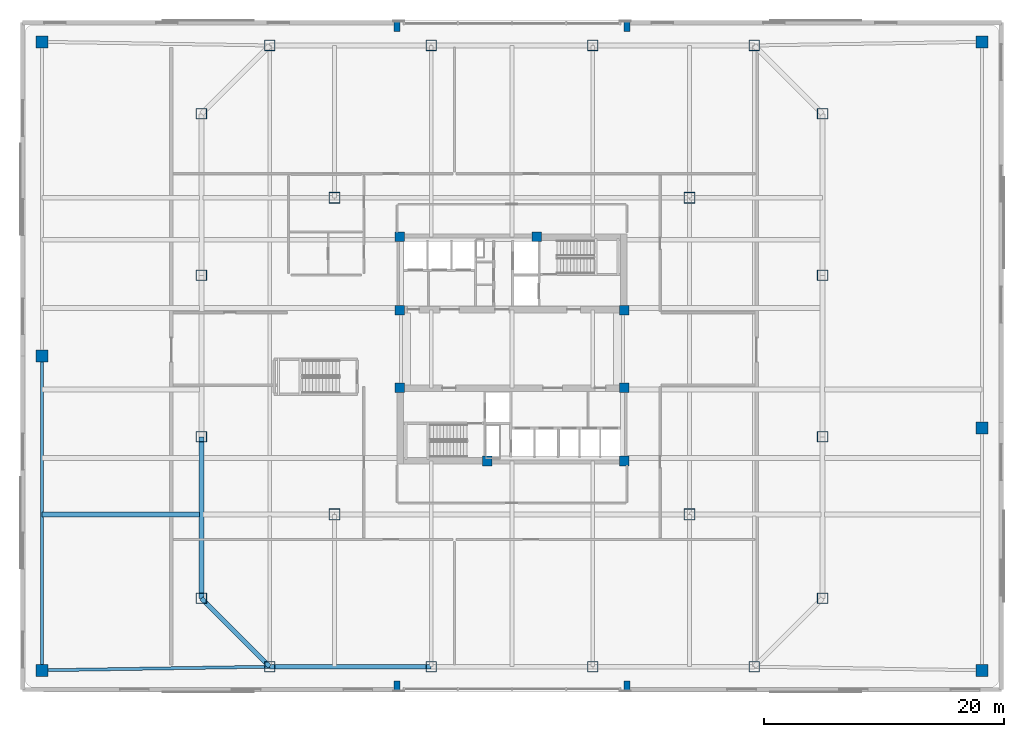
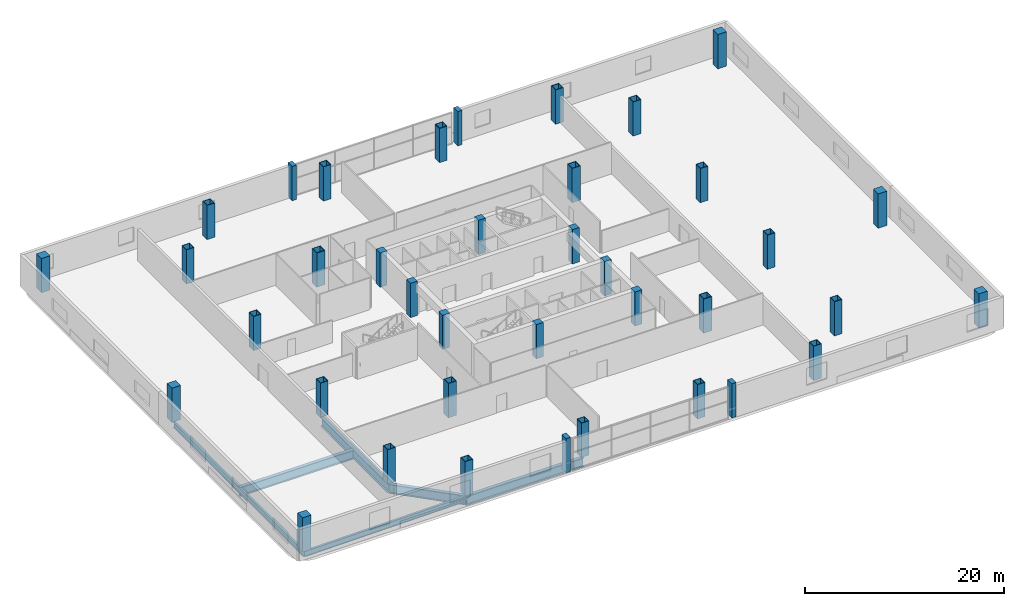
# One storey, part 1 of 21: 38 columns, 6 beams.
"""IFC4 building model written with IfcOpenShell, lengths in metres."""

from ifc_helpers import new_model, si_unit, direction, frame, origin, origin_2d, place, context, subcontext, project, spatial, rectangle, hollow_rectangle, i_section, extrude, material, material_profile, profile_set, type_object, element, save


model = new_model("IFC4")

# Units and contexts
model_context = context("Model", 3, precision=1e-05, world=origin(), true_north=direction((0.0, 1.0)))
body_context = subcontext(model_context, "Body", "Model", "MODEL_VIEW")
ifc_project = project(units=[si_unit("LENGTHUNIT", "METRE"), si_unit("AREAUNIT", "SQUARE_METRE"), si_unit("VOLUMEUNIT", "CUBIC_METRE"), si_unit("PLANEANGLEUNIT", "RADIAN"), si_unit("MASSUNIT", "GRAM", prefix="KILO")], contexts=[model_context])

# Site, building, storey
site_placement = place(None, origin())
site = spatial("IfcSite", under=ifc_project, at=site_placement, CompositionType="ELEMENT")
building_placement = place(site_placement, origin())
building = spatial("IfcBuilding", under=site, at=building_placement, Name="Qhalaya Broadcast Tower", CompositionType="ELEMENT")
storey_placement = place(building_placement, frame((0.0, 0.0, 13.5)))
storey = spatial("IfcBuildingStorey", under=building, at=storey_placement, Name="L03", CompositionType="ELEMENT", Elevation=13.5)

# Columns
ifc_material_1 = material(Name="Concrete C60/75", Category="concrete")
ifc_material_profile_1 = material_profile(ifc_material_1, rectangle(XDim=0.5, YDim=0.85009765625, at=origin_2d()), Name="RC-PIL 500x850")
ifc_profile_set_1 = profile_set([ifc_material_profile_1], Name="Concrete C60/75")
column_type_1 = type_object("IfcColumnType", Name="Concourse Portal Pilaster CP1", PredefinedType="PILASTER", material=ifc_profile_set_1)
for number, where, z_axis, x_axis, name in (
    (1, (-9.60009765625, -27.5, 0.0), (0.0, 0.0, 1.0), (1.0, 0.0, 0.0), "L03 Column PIL-PL1"),
    (2, (9.60009765625, -27.5, 0.0), (0.0, 0.0, 1.0), (1.0, 0.0, 0.0), "L03 Column PIL-PL2"),
    (3, (-9.60009765625, 27.5, 0.0), (0.0, 0.0, 1.0), (1.0, 0.0, 0.0), "L03 Column PIL-PL3"),
    (4, (9.60009765625, 27.5, 0.0), (0.0, 0.0, 1.0), (1.0, 0.0, 0.0), "L03 Column PIL-PL4"),
):
    element("IfcColumn", number, at=place(storey_placement, frame(where, z_axis=z_axis, x_axis=x_axis)), inside=storey, type_object=column_type_1, Name=name, PredefinedType="PILASTER", context=body_context, shape_type="SweptSolid", body=[
        extrude(rectangle(XDim=0.5, YDim=0.85009765625, at=origin_2d()), origin(), (0.0, 0.0, 1.0), 4.199951171875),
    ])
ifc_material_profile_2 = material_profile(ifc_material_1, rectangle(XDim=1.0, YDim=1.0, at=origin_2d()), Name="RC-COL 1000x1000")
ifc_profile_set_2 = profile_set([ifc_material_profile_2], Name="Concrete C60/75")
column_type_2 = type_object("IfcColumnType", Name="RC Podium Column C09", PredefinedType="COLUMN", material=ifc_profile_set_2)
for number, where, z_axis, x_axis, name in (
    (5, (-39.199951171875, 0.0, 0.0), (0.0, 0.0, 1.0), (1.0, 0.0, 0.0), "L03 Column COL-E1"),
    (6, (39.199951171875, -6.0, 0.0), (0.0, 0.0, 1.0), (1.0, 0.0, 0.0), "L03 Column COL-E2"),
    (7, (-39.199951171875, -26.199951171875, 0.0), (0.0, 0.0, 1.0), (1.0, 0.0, 0.0), "L03 Column COL-E3"),
    (8, (39.199951171875, -26.199951171875, 0.0), (0.0, 0.0, 1.0), (1.0, 0.0, 0.0), "L03 Column COL-E4"),
    (9, (-39.199951171875, 26.199951171875, 0.0), (0.0, 0.0, 1.0), (1.0, 0.0, 0.0), "L03 Column COL-E5"),
    (10, (39.199951171875, 26.199951171875, 0.0), (0.0, 0.0, 1.0), (1.0, 0.0, 0.0), "L03 Column COL-E6"),
):
    element("IfcColumn", number, at=place(storey_placement, frame(where, z_axis=z_axis, x_axis=x_axis)), inside=storey, type_object=column_type_2, Name=name, PredefinedType="COLUMN", context=body_context, shape_type="SweptSolid", body=[
        extrude(rectangle(XDim=1.0, YDim=1.0, at=origin_2d()), origin(), (0.0, 0.0, 1.0), 4.199951171875),
    ])
ifc_material_2 = material(Name="Concrete C50/60", Category="concrete")
ifc_material_profile_3 = material_profile(ifc_material_2, rectangle(XDim=0.800048828125, YDim=0.800048828125, at=origin_2d()), Name="RC-COL 800x800")
ifc_profile_set_3 = profile_set([ifc_material_profile_3], Name="Concrete C50/60")
column_type_3 = type_object("IfcColumnType", Name="RC Upper Column C10", PredefinedType="COLUMN", material=ifc_profile_set_3)
for number, where, z_axis, x_axis, name in (
    (11, (-9.375, 9.949951171875, 0.0), (0.0, 0.0, 1.0), (1.0, 0.0, 0.0), "L03 Column COL-CC1"),
    (12, (2.050048828125, 9.949951171875, 0.0), (0.0, 0.0, 1.0), (1.0, 0.0, 0.0), "L03 Column COL-CC2"),
    (13, (-9.375, 3.824951171875, 0.0), (0.0, 0.0, 1.0), (1.0, 0.0, 0.0), "L03 Column COL-CC3"),
    (14, (9.375, 3.824951171875, 0.0), (0.0, 0.0, 1.0), (1.0, 0.0, 0.0), "L03 Column COL-CC4"),
    (15, (-9.375, -2.625, 0.0), (0.0, 0.0, 1.0), (1.0, 0.0, 0.0), "L03 Column COL-CC5"),
    (16, (9.375, -2.625, 0.0), (0.0, 0.0, 1.0), (1.0, 0.0, 0.0), "L03 Column COL-CC6"),
    (17, (-2.050048828125, -8.75, 0.0), (0.0, 0.0, 1.0), (1.0, 0.0, 0.0), "L03 Column COL-CC7"),
    (18, (9.375, -8.75, 0.0), (0.0, 0.0, 1.0), (1.0, 0.0, 0.0), "L03 Column COL-CC8"),
):
    element("IfcColumn", number, at=place(storey_placement, frame(where, z_axis=z_axis, x_axis=x_axis)), inside=storey, type_object=column_type_3, Name=name, PredefinedType="COLUMN", context=body_context, shape_type="SweptSolid", body=[
        extrude(rectangle(XDim=0.800048828125, YDim=0.800048828125, at=origin_2d()), origin(), (0.0, 0.0, 1.0), 4.199951171875),
    ])
ifc_material_3 = material(Name="Structural Steel ASTM A572 Grade 50", Category="steel")
ifc_material_profile_4 = material_profile(ifc_material_3, hollow_rectangle(XDim=0.949951171875, YDim=0.949951171875, WallThickness=0.06005859375, at=origin_2d()), Name="BOX 950x950x60")
ifc_profile_set_4 = profile_set([ifc_material_profile_4], Name="Structural Steel ASTM A572 Grade 50")
column_type_4 = type_object("IfcColumnType", Name="Steel Box Column C01", PredefinedType="COLUMN", material=ifc_profile_set_4)
for number, where, z_axis, x_axis, name in (
    (19, (-14.800048828125, -13.199951171875, 0.0), (0.0, 0.0, 1.0), (1.0, 0.0, 0.0), "L03 Column COL-GR1"),
    (20, (14.800048828125, -13.199951171875, 0.0), (0.0, 0.0, 1.0), (1.0, 0.0, 0.0), "L03 Column COL-GR2"),
    (21, (-14.800048828125, 13.199951171875, 0.0), (0.0, 0.0, 1.0), (1.0, 0.0, 0.0), "L03 Column COL-GR3"),
    (22, (14.800048828125, 13.199951171875, 0.0), (0.0, 0.0, 1.0), (1.0, 0.0, 0.0), "L03 Column COL-GR4"),
):
    element("IfcColumn", number, at=place(storey_placement, frame(where, z_axis=z_axis, x_axis=x_axis)), inside=storey, type_object=column_type_4, Name=name, PredefinedType="COLUMN", context=body_context, shape_type="SweptSolid", body=[
        extrude(hollow_rectangle(XDim=0.949951171875, YDim=0.949951171875, WallThickness=0.06005859375, at=origin_2d()), origin(), (0.0, 0.0, 1.0), 4.199951171875),
    ])
ifc_material_profile_5 = material_profile(ifc_material_3, hollow_rectangle(XDim=0.89990234375, YDim=0.89990234375, WallThickness=0.054931640625, at=origin_2d()), Name="BOX 900x900x55")
ifc_profile_set_5 = profile_set([ifc_material_profile_5], Name="Structural Steel ASTM A572 Grade 50")
column_type_5 = type_object("IfcColumnType", Name="Steel Box Column C02", PredefinedType="COLUMN", material=ifc_profile_set_5)
for number, where, z_axis, x_axis, name in (
    (23, (-20.199951171875, -25.89990234375, 0.0), (0.0, 0.0, 1.0), (1.0, 0.0, 0.0), "L03 Column COL-B1P01"),
    (24, (-6.7333984375, -25.89990234375, 0.0), (0.0, 0.0, 1.0), (1.0, 0.0, 0.0), "L03 Column COL-B1P02"),
    (25, (6.7333984375, -25.89990234375, 0.0), (0.0, 0.0, 1.0), (1.0, 0.0, 0.0), "L03 Column COL-B1P03"),
    (26, (20.199951171875, -25.89990234375, 0.0), (0.0, 0.0, 1.0), (1.0, 0.0, 0.0), "L03 Column COL-B1P04"),
    (27, (25.89990234375, -20.199951171875, 0.0), (0.0, 0.0, 1.0), (0.0, 1.0, 0.0), "L03 Column COL-B1P05"),
    (28, (25.89990234375, -6.7333984375, 0.0), (0.0, 0.0, 1.0), (0.0, 1.0, 0.0), "L03 Column COL-B1P06"),
    (29, (25.89990234375, 6.7333984375, 0.0), (0.0, 0.0, 1.0), (0.0, 1.0, 0.0), "L03 Column COL-B1P07"),
    (30, (25.89990234375, 20.199951171875, 0.0), (0.0, 0.0, 1.0), (0.0, 1.0, 0.0), "L03 Column COL-B1P08"),
    (31, (20.199951171875, 25.89990234375, 0.0), (0.0, 0.0, 1.0), (1.0, 0.0, 0.0), "L03 Column COL-B1P09"),
    (32, (6.7333984375, 25.89990234375, 0.0), (0.0, 0.0, 1.0), (1.0, 0.0, 0.0), "L03 Column COL-B1P10"),
    (33, (-6.7333984375, 25.89990234375, 0.0), (0.0, 0.0, 1.0), (1.0, 0.0, 0.0), "L03 Column COL-B1P11"),
    (34, (-20.199951171875, 25.89990234375, 0.0), (0.0, 0.0, 1.0), (1.0, 0.0, 0.0), "L03 Column COL-B1P12"),
    (35, (-25.89990234375, 20.199951171875, 0.0), (0.0, 0.0, 1.0), (0.0, 1.0, 0.0), "L03 Column COL-B1P13"),
    (36, (-25.89990234375, 6.7333984375, 0.0), (0.0, 0.0, 1.0), (0.0, 1.0, 0.0), "L03 Column COL-B1P14"),
    (37, (-25.89990234375, -6.7333984375, 0.0), (0.0, 0.0, 1.0), (0.0, 1.0, 0.0), "L03 Column COL-B1P15"),
    (38, (-25.89990234375, -20.199951171875, 0.0), (0.0, 0.0, 1.0), (0.0, 1.0, 0.0), "L03 Column COL-B1P16"),
):
    element("IfcColumn", number, at=place(storey_placement, frame(where, z_axis=z_axis, x_axis=x_axis)), inside=storey, type_object=column_type_5, Name=name, PredefinedType="COLUMN", context=body_context, shape_type="SweptSolid", body=[
        extrude(hollow_rectangle(XDim=0.89990234375, YDim=0.89990234375, WallThickness=0.054931640625, at=origin_2d()), origin(), (0.0, 0.0, 1.0), 4.199951171875),
    ])

# Beams
ifc_material_4 = material(Name="Structural Steel ASTM A992 Grade 50", Category="steel")
ifc_material_profile_6 = material_profile(ifc_material_4, i_section(OverallWidth=0.25390625, OverallDepth=0.68310546875, WebThickness=0.012451171875, FlangeThickness=0.01904296875, at=origin_2d()), Name="W27X94")
ifc_profile_set_6 = profile_set([ifc_material_profile_6], Name="Structural Steel ASTM A992 Grade 50")
beam_type_1 = type_object("IfcBeamType", Name="Perimeter Ring Spandrel Beam SP1", PredefinedType="SPANDREL", material=ifc_profile_set_6)
beam_1_placement = place(storey_placement, frame((-39.199951171875, -26.199951171875, -0.66162109375), z_axis=(0.999875328998, 0.015790074776, 0.0), x_axis=(-0.015790074776, 0.999875328998, 0.0)))
element("IfcBeam", 39, at=beam_1_placement, inside=storey, type_object=beam_type_1, Name="L03 SP1 L03-SP-S1", PredefinedType="SPANDREL", context=body_context, shape_type="SweptSolid", body=[
    extrude(i_section(OverallWidth=0.25390625, OverallDepth=0.68310546875, WebThickness=0.012451171875, FlangeThickness=0.01904296875, at=origin_2d()), origin(), (0.0, 0.0, 1.0), 19.00244140625),
])
beam_2_placement = place(storey_placement, frame((-39.199951171875, -26.199951171875, -0.66162109375), z_axis=(0.0, 1.0, 0.0), x_axis=(-1.0, 0.0, 0.0)))
element("IfcBeam", 40, at=beam_2_placement, inside=storey, type_object=beam_type_1, Name="L03 SP1 L03-SP-W1", PredefinedType="SPANDREL", context=body_context, shape_type="SweptSolid", body=[
    extrude(i_section(OverallWidth=0.25390625, OverallDepth=0.68310546875, WebThickness=0.012451171875, FlangeThickness=0.01904296875, at=origin_2d()), origin(), (0.0, 0.0, 1.0), 26.199951171875),
])
ifc_material_profile_7 = material_profile(ifc_material_4, i_section(OverallWidth=0.404052734375, OverallDepth=1.117919921875, WebThickness=0.026123046875, FlangeThickness=0.044921875, at=origin_2d()), Name="W44X335")
ifc_profile_set_7 = profile_set([ifc_material_profile_7], Name="Structural Steel ASTM A992 Grade 50")
beam_type_2 = type_object("IfcBeamType", Name="Podium Long-Span Primary Girder PG1", PredefinedType="USERDEFINED", material=ifc_profile_set_7)
for number, where, z_axis, x_axis, name in (
    (41, (-20.199951171875, -25.89990234375, -0.87890625), (1.0, 0.0, 0.0), (0.0, 1.0, 0.0), "L03 PG1 L03-PG-R01"),
    (42, (-25.89990234375, -6.7333984375, -0.87890625), (0.0, -1.0, 0.0), (1.0, 0.0, 0.0), "L03 PG1 L03-PG-R15"),
):
    element("IfcBeam", number, at=place(storey_placement, frame(where, z_axis=z_axis, x_axis=x_axis)), inside=storey, type_object=beam_type_2, Name=name, ObjectType="GIRDER", PredefinedType="USERDEFINED", context=body_context, shape_type="SweptSolid", body=[
        extrude(i_section(OverallWidth=0.404052734375, OverallDepth=1.117919921875, WebThickness=0.026123046875, FlangeThickness=0.044921875, at=origin_2d()), origin(), (0.0, 0.0, 1.0), 13.466552734375),
    ])
beam_3_placement = place(storey_placement, frame((-25.89990234375, -20.199951171875, -0.87890625), z_axis=(0.707106781187, -0.707106781187, 0.0), x_axis=(0.707106781187, 0.707106781187, 0.0)))
element("IfcBeam", 43, at=beam_3_placement, inside=storey, type_object=beam_type_2, Name="L03 PG1 L03-PG-R16", ObjectType="GIRDER", PredefinedType="USERDEFINED", context=body_context, shape_type="SweptSolid", body=[
    extrude(i_section(OverallWidth=0.404052734375, OverallDepth=1.117919921875, WebThickness=0.026123046875, FlangeThickness=0.044921875, at=origin_2d()), origin(), (0.0, 0.0, 1.0), 8.06103515625),
])
beam_4_placement = place(storey_placement, frame((-39.199951171875, -13.199951171875, -0.87890625), z_axis=(1.0, 0.0, 0.0), x_axis=(0.0, 1.0, 0.0)))
element("IfcBeam", 44, at=beam_4_placement, inside=storey, type_object=beam_type_2, Name="L03 PG1 L03-PG-GS1", ObjectType="GIRDER", PredefinedType="USERDEFINED", context=body_context, shape_type="SweptSolid", body=[
    extrude(i_section(OverallWidth=0.404052734375, OverallDepth=1.117919921875, WebThickness=0.026123046875, FlangeThickness=0.044921875, at=origin_2d()), origin(), (0.0, 0.0, 1.0), 13.159912109375),
])

save(model, "model.ifc")
